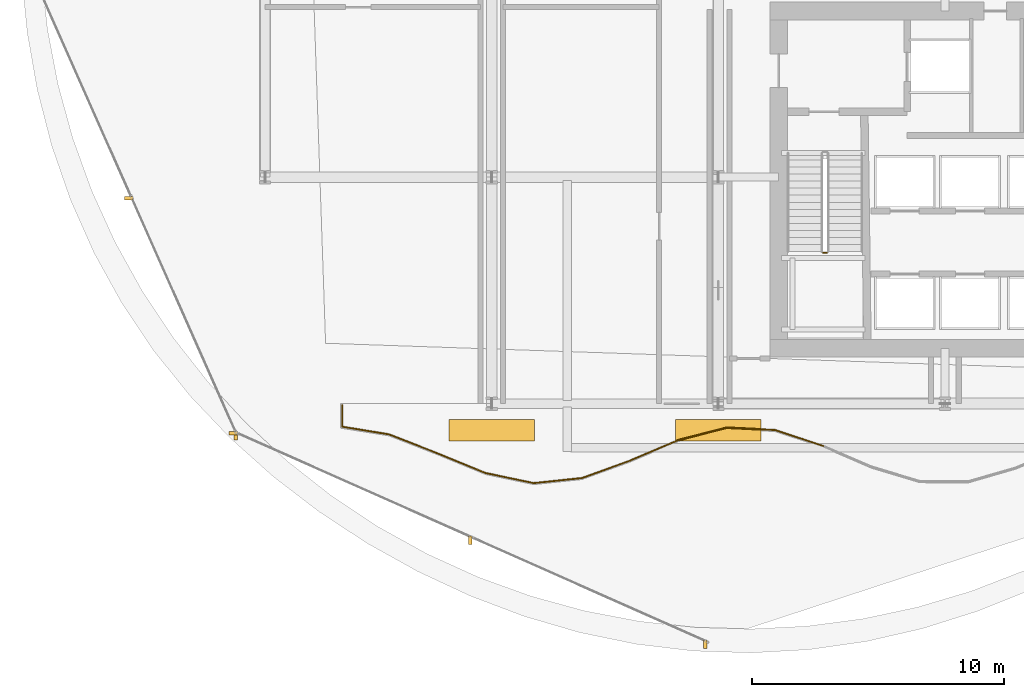
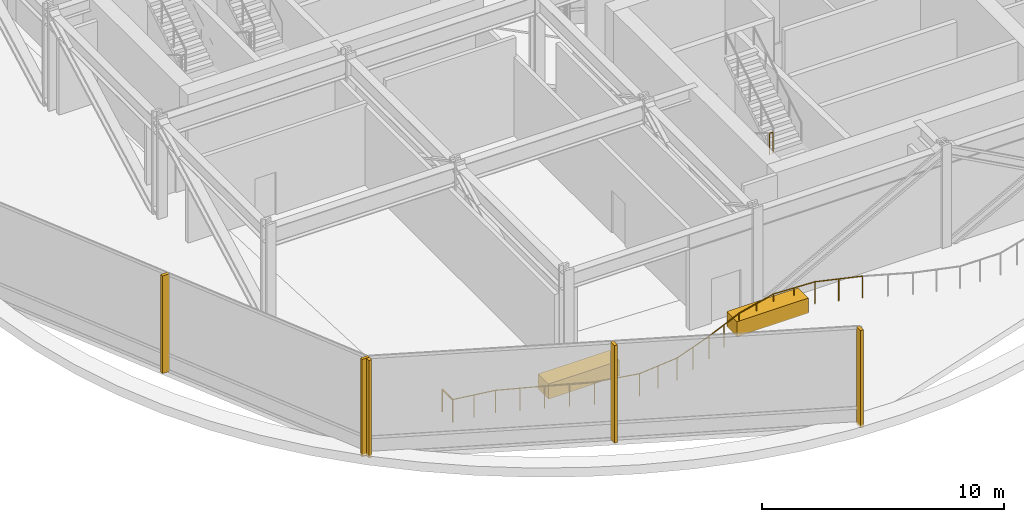
# One storey, part 31 of 37: 12 railings, 5 shading devices, 2 coverings.
"""IFC4 building model written with IfcOpenShell, lengths in metres."""

import ifcopenshell
import ifcopenshell.guid

model = None  # the IFC model being written
_history = None  # IfcOwnerHistory: only IFC2X3 demands one
_inside = {}  # id of a spatial element -> (the spatial element, [elements in it])
_under = {}  # id of a project, library or spatial element -> (it, [spatial elements below it])
_declared = {}  # id of a project -> (the project, [libraries it declares])
_typed = {}  # id of a type object -> (the type object, [elements of that type])
_made_of = {}  # id of a material, layer set ... -> (it, [elements and type objects made of it])


def new_model(schema):
    """Start an empty IFC model of exactly this schema.

    Asked for "IFC4X3", IfcOpenShell would pick the latest addendum, in which some entities
    have other attributes; the version numbers below select the first issue.
    IFC2X3 requires an IfcOwnerHistory on every rooted entity: one is made here for all.
    """
    global model, _history
    if schema == "IFC4X3":
        model = ifcopenshell.file(schema_version=(4, 3, 0, 0))
    else:
        model = ifcopenshell.file(schema=schema)
    _inside.clear()
    _under.clear()
    _declared.clear()
    _typed.clear()
    _made_of.clear()
    _history = None
    if model.schema == "IFC2X3":
        org = make("IfcOrganization", Name="unknown")
        user = make(
            "IfcPersonAndOrganization",
            ThePerson=make("IfcPerson", FamilyName="unknown"),
            TheOrganization=org,
        )
        app = make(
            "IfcApplication",
            ApplicationDeveloper=org,
            Version="unknown",
            ApplicationFullName="unknown",
            ApplicationIdentifier="unknown",
        )
        _history = make(
            "IfcOwnerHistory",
            OwningUser=user,
            OwningApplication=app,
            ChangeAction="ADDED",
            CreationDate=0,
        )
    return model


def make(cls, **values):
    """One entity of the class cls with the attributes given. An attribute that is None is left unset."""
    return model.create_entity(
        cls, **{name: value for name, value in values.items() if value is not None}
    )


def rooted(cls, **values):
    """An entity with a GlobalId (a new one), such as an element, a storey or a relation."""
    return make(cls, GlobalId=ifcopenshell.guid.new(), OwnerHistory=_history, **values)


def si_unit(unit_type, name, prefix=None):
    """IfcSIUnit, for example si_unit("LENGTHUNIT", "METRE", prefix="MILLI")."""
    return make("IfcSIUnit", UnitType=unit_type, Prefix=prefix, Name=name)


def assignment(units):
    """IfcUnitAssignment: the units of a project."""
    return None if units is None else make("IfcUnitAssignment", Units=units)


def point(xyz):
    """IfcCartesianPoint."""
    return None if xyz is None else make("IfcCartesianPoint", Coordinates=xyz)


def direction(xyz):
    """IfcDirection."""
    return None if xyz is None else make("IfcDirection", DirectionRatios=xyz)


def frame(location, z_axis=None, x_axis=None):
    """IfcAxis2Placement3D, a coordinate frame: its origin and axes. An axis left out is left unset."""
    return make(
        "IfcAxis2Placement3D",
        Location=point(location),
        Axis=direction(z_axis),
        RefDirection=direction(x_axis),
    )


def frame_2d(location, x_axis=None):
    """IfcAxis2Placement2D, a coordinate frame in the plane: its origin and x axis."""
    return make(
        "IfcAxis2Placement2D", Location=point(location), RefDirection=direction(x_axis)
    )


def origin():
    """The frame at (0, 0, 0) with its axes left unset."""
    return frame((0.0, 0.0, 0.0))


def origin_2d():
    """The frame at (0, 0) in the plane with its x axis left unset."""
    return frame_2d((0.0, 0.0))


def place(relative_to, where):
    """IfcLocalPlacement: puts the frame where relative to a parent placement (None: the world)."""
    return make(
        "IfcLocalPlacement", PlacementRelTo=relative_to, RelativePlacement=where
    )


def context(
    kind, dimensions, precision=None, world=None, true_north=None, identifier=None
):
    """IfcGeometricRepresentationContext, for example the 3D "Model" context."""
    return make(
        "IfcGeometricRepresentationContext",
        ContextIdentifier=identifier,
        ContextType=kind,
        CoordinateSpaceDimension=dimensions,
        Precision=precision,
        WorldCoordinateSystem=world,
        TrueNorth=true_north,
    )


def subcontext(parent, identifier, kind, view, scale=None):
    """IfcGeometricRepresentationSubContext, for example "Body" below "Model"."""
    return make(
        "IfcGeometricRepresentationSubContext",
        ContextIdentifier=identifier,
        ContextType=kind,
        ParentContext=parent,
        TargetScale=scale,
        TargetView=view,
    )


def project(units=None, contexts=None):
    """IfcProject with its units and contexts."""
    return rooted(
        "IfcProject",
        Name="project",
        RepresentationContexts=contexts,
        UnitsInContext=assignment(units),
    )


def spatial(cls, under=None, at=None, **own):
    """A site, building, storey or space (cls), placed at a placement, below another one or the project."""
    s = rooted(cls, ObjectPlacement=at, **own)
    if under is not None:
        _under.setdefault(under.id(), (under, []))[1].append(s)
    return s


def profile(cls, at=None, kind="AREA", **sizes):
    """A parametric profile (cls). Its sizes go by their IFC names, for example OverallWidth=200.0."""
    return make(cls, ProfileType=kind, Position=at, **sizes)


def rectangle(**sizes):
    """IfcRectangleProfileDef."""
    return profile("IfcRectangleProfileDef", **sizes)


def circle(**sizes):
    """IfcCircleProfileDef."""
    return profile("IfcCircleProfileDef", **sizes)


def extrude(swept, where, along, depth):
    """IfcExtrudedAreaSolid: the profile swept, set in the frame where, extruded along a direction by depth."""
    return make(
        "IfcExtrudedAreaSolid",
        SweptArea=swept,
        Position=where,
        ExtrudedDirection=direction(along),
        Depth=depth,
    )


def shape(context_of_items, identifier, shape_type, items):
    """IfcShapeRepresentation: the items that make up one representation, for example the "Body"."""
    return make(
        "IfcShapeRepresentation",
        ContextOfItems=context_of_items,
        RepresentationIdentifier=identifier,
        RepresentationType=shape_type,
        Items=items,
    )


def material(Name=None, Category=None):
    """IfcMaterial."""
    return make("IfcMaterial", Name=Name, Category=Category)


def layer(
    of_material, thickness, ventilated=None, Name=None, Category=None, Priority=None
):
    """IfcMaterialLayer: one layer of a wall or slab, of a material (None: an air gap)."""
    return make(
        "IfcMaterialLayer",
        Material=of_material,
        LayerThickness=thickness,
        IsVentilated=ventilated,
        Name=Name,
        Category=Category,
        Priority=Priority,
    )


def layer_set(layers, Name=None):
    """IfcMaterialLayerSet."""
    return make("IfcMaterialLayerSet", MaterialLayers=layers, LayerSetName=Name)


def made_of(thing, what):
    """Note that an element or type object is made of a material, layer set ...; save() writes the relation."""
    if what is not None:
        _made_of.setdefault(what.id(), (what, []))[1].append(thing)
    return thing


def type_object(cls, material=None, **own):
    """A type object (cls), such as IfcWallType, which elements share."""
    return made_of(rooted(cls, **own), material)


def element(
    cls,
    number,
    at=None,
    inside=None,
    cuts=None,
    type_object=None,
    material=None,
    context=None,
    identifier="Body",
    shape_type=None,
    held_by="IfcProductDefinitionShape",
    body=None,
    shapes=None,
    **own,
):
    """One element of the class cls, such as IfcWall. Its Tag is "e" and its number.

    at: its placement. inside: the storey or other place that contains it. cuts: it is an
    opening in that element (IfcRelVoidsElement). A single representation is given by context,
    identifier, shape_type and body (its items); several are given by shapes. held_by: the class
    of the entity that holds the representations. save() writes the other relations.
    """
    e = rooted(cls, Tag="e%d" % number, ObjectPlacement=at, **own)
    if body is not None:
        shapes = [shape(context, identifier, shape_type, body)]
    if shapes is not None:
        e.Representation = make(held_by, Representations=shapes)
    if inside is not None:
        _inside.setdefault(inside.id(), (inside, []))[1].append(e)
    if cuts is not None:
        rooted(
            "IfcRelVoidsElement", RelatingBuildingElement=cuts, RelatedOpeningElement=e
        )
    if type_object is not None:
        _typed.setdefault(type_object.id(), (type_object, []))[1].append(e)
    return made_of(e, material)


def aggregate(whole, parts):
    """IfcRelAggregates: a whole, such as a stair, and the parts it consists of."""
    return rooted("IfcRelAggregates", RelatingObject=whole, RelatedObjects=parts)


def save(model, path):
    """Write the relations noted so far, then the file.

    IfcRelAggregates (storeys below a building ...), IfcRelContainedInSpatialStructure (elements
    in a storey), IfcRelDefinesByType, IfcRelAssociatesMaterial and IfcRelDeclares: one each for
    every whole, place, type object, material and project.
    """
    for whole, parts in _under.values():
        aggregate(whole, parts)
    for where, things in _inside.values():
        rooted(
            "IfcRelContainedInSpatialStructure",
            RelatedElements=things,
            RelatingStructure=where,
        )
    for kind, things in _typed.values():
        rooted("IfcRelDefinesByType", RelatedObjects=things, RelatingType=kind)
    for what, things in _made_of.values():
        rooted("IfcRelAssociatesMaterial", RelatedObjects=things, RelatingMaterial=what)
    for by, libraries in _declared.values():
        rooted("IfcRelDeclares", RelatingContext=by, RelatedDefinitions=libraries)
    model.write(path)


model = new_model("IFC4")

# Units and contexts
model_context = context("Model", 3, precision=1e-05, world=origin(), true_north=direction((0.0, 1.0)))
body_context = subcontext(model_context, "Body", "Model", "MODEL_VIEW")
ifc_project = project(units=[si_unit("LENGTHUNIT", "METRE"), si_unit("AREAUNIT", "SQUARE_METRE"), si_unit("VOLUMEUNIT", "CUBIC_METRE"), si_unit("PLANEANGLEUNIT", "RADIAN"), si_unit("MASSUNIT", "GRAM", prefix="KILO")], contexts=[model_context])

# Site, building, storey
site_placement = place(None, origin())
site = spatial("IfcSite", under=ifc_project, at=site_placement, CompositionType="ELEMENT")
building_placement = place(site_placement, origin())
building = spatial("IfcBuilding", under=site, at=building_placement, Name="Solvaryn Broadcast Tower", CompositionType="ELEMENT")
storey_placement = place(building_placement, frame((0.0, 0.0, 30.800048828125)))
storey = spatial("IfcBuildingStorey", under=building, at=storey_placement, Name="L06", CompositionType="ELEMENT", Elevation=30.800048828125)

# Coverings
ifc_material_1 = material(Name="Glazed Architectural Terracotta Rainscreen Cladding", Category="masonry")
ifc_layer = layer(ifc_material_1, 0.280029296875)
ifc_layer_set = layer_set([ifc_layer], Name="CV-TC-CLAD")
covering_type = type_object("IfcCoveringType", Name="CV-TC-CLAD", PredefinedType="CLADDING", material=ifc_layer_set)
for number, where, z_axis, x_axis, name in (
    (1, (18.0, 7.949951171875, 0.0), (0.0, 0.0, 1.0), (1.0, 0.0, 0.0), "L06 Sky-Garden Planter Bed 1"),
    (2, (27.0, 7.949951171875, 0.0), (0.0, 0.0, 1.0), (1.0, 0.0, 0.0), "L06 Sky-Garden Planter Bed 2"),
):
    element("IfcCovering", number, at=place(storey_placement, frame(where, z_axis=z_axis, x_axis=x_axis)), inside=storey, type_object=covering_type, Name=name, PredefinedType="CLADDING", context=body_context, shape_type="SweptSolid", body=[
        extrude(rectangle(XDim=3.39990234375, YDim=0.85009765625, at=origin_2d()), origin(), (0.0, 0.0, 1.0), 0.760009765625),
    ])

# Railings
ifc_material_2 = material(Name="Painted Steel Stair Well Guard", Category="steel")
railing_type_1 = type_object("IfcRailingType", Name="RL-STAIR-GUARD", PredefinedType="BALUSTRADE", material=ifc_material_2)
railing_1_placement = place(storey_placement, frame((31.159912109375, 14.989990234375, 2.599853515625)))
element("IfcRailing", 3, at=railing_1_placement, inside=storey, type_object=railing_type_1, Name="L06 ST3 stair guard 2", PredefinedType="BALUSTRADE", context=body_context, shape_type="SweptSolid", body=[
    extrude(circle(Radius=0.02392578125, at=origin_2d()), frame((0.0, 0.0, 1.076171875), z_axis=(1.0, 0.0, 0.0), x_axis=(0.0, 1.0, 0.0)), (0.0, 0.0, 1.0), 0.150146484375),
    extrude(circle(Radius=0.02099609375, at=origin_2d()), origin(), (0.0, 0.0, 1.0), 1.052001953125),
    extrude(circle(Radius=0.02099609375, at=origin_2d()), frame((0.150146484375, 0.0, 0.0)), (0.0, 0.0, 1.0), 1.052001953125),
])
ifc_material_3 = material(Name="Stainless Steel and Laminated Glass Guard", Category="steel")
railing_type_2 = type_object("IfcRailingType", Name="RL-TER-1150", PredefinedType="BALUSTRADE", material=ifc_material_3)
railing_2_placement = place(storey_placement, frame((12.06005859375, 8.93994140625, 0.0)))
element("IfcRailing", 4, at=railing_2_placement, inside=storey, type_object=railing_type_2, Name="L06 Terrace Guard TS06S-1", PredefinedType="BALUSTRADE", context=body_context, shape_type="SweptSolid", body=[
    extrude(circle(Radius=0.02392578125, at=origin_2d()), frame((0.0, 0.0, 1.1259765625), z_axis=(0.0, -1.0, 0.0), x_axis=(1.0, 0.0, 0.0)), (0.0, 0.0, 1.0), 0.85498046875),
    extrude(circle(Radius=0.02099609375, at=origin_2d()), origin(), (0.0, 0.0, 1.0), 1.101806640625),
    extrude(circle(Radius=0.02099609375, at=origin_2d()), frame((0.0, -0.85498046875, 0.0)), (0.0, 0.0, 1.0), 1.101806640625),
])
railing_3_placement = place(storey_placement, frame((12.06005859375, 8.0849609375, 0.0)))
element("IfcRailing", 5, at=railing_3_placement, inside=storey, type_object=railing_type_2, Name="L06 Terrace Guard TS06S-2", PredefinedType="BALUSTRADE", context=body_context, shape_type="SweptSolid", body=[
    extrude(circle(Radius=0.02392578125, at=origin_2d()), frame((0.0, 0.0, 1.1259765625), z_axis=(0.986863300205, -0.161557502795, 0.0), x_axis=(0.161557502795, 0.986863300205, 0.0)), (0.0, 0.0, 1.0), 1.88134765625),
    extrude(circle(Radius=0.02099609375, at=origin_2d()), origin(), (0.0, 0.0, 1.0), 1.101806640625),
    extrude(circle(Radius=0.02099609375, at=origin_2d()), frame((0.92822265625, -0.15185546875, 0.0)), (0.0, 0.0, 1.0), 1.101806640625),
    extrude(circle(Radius=0.02099609375, at=origin_2d()), frame((1.856689453125, -0.303955078125, 0.0)), (0.0, 0.0, 1.0), 1.101806640625),
])
railing_4_placement = place(storey_placement, frame((13.916748046875, 7.781005859375, 0.0)))
element("IfcRailing", 6, at=railing_4_placement, inside=storey, type_object=railing_type_2, Name="L06 Terrace Guard TS06S-3", PredefinedType="BALUSTRADE", context=body_context, shape_type="SweptSolid", body=[
    extrude(circle(Radius=0.02392578125, at=origin_2d()), frame((0.0, 0.0, 1.1259765625), z_axis=(0.931674641792, -0.363293767965, 0.0), x_axis=(0.363293767965, 0.931674641792, 0.0)), (0.0, 0.0, 1.0), 2.05712890625),
    extrude(circle(Radius=0.02099609375, at=origin_2d()), origin(), (0.0, 0.0, 1.0), 1.101806640625),
    extrude(circle(Radius=0.02099609375, at=origin_2d()), frame((0.958251953125, -0.37353515625, 0.0)), (0.0, 0.0, 1.0), 1.101806640625),
    extrude(circle(Radius=0.02099609375, at=origin_2d()), frame((1.91650390625, -0.747314453125, 0.0)), (0.0, 0.0, 1.0), 1.101806640625),
])
railing_5_placement = place(storey_placement, frame((15.833251953125, 7.03369140625, 0.0)))
element("IfcRailing", 7, at=railing_5_placement, inside=storey, type_object=railing_type_2, Name="L06 Terrace Guard TS06S-4", PredefinedType="BALUSTRADE", context=body_context, shape_type="SweptSolid", body=[
    extrude(circle(Radius=0.02392578125, at=origin_2d()), frame((0.0, 0.0, 1.1259765625), z_axis=(0.924999853711, -0.379967459969, 0.0), x_axis=(0.379967459969, 0.924999853711, 0.0)), (0.0, 0.0, 1.0), 2.072265625),
    extrude(circle(Radius=0.02099609375, at=origin_2d()), origin(), (0.0, 0.0, 1.0), 1.101806640625),
    extrude(circle(Radius=0.02099609375, at=origin_2d()), frame((0.95849609375, -0.3935546875, 0.0)), (0.0, 0.0, 1.0), 1.101806640625),
    extrude(circle(Radius=0.02099609375, at=origin_2d()), frame((1.916748046875, -0.787353515625, 0.0)), (0.0, 0.0, 1.0), 1.101806640625),
])
railing_6_placement = place(storey_placement, frame((17.75, 6.246337890625, 0.0)))
element("IfcRailing", 8, at=railing_6_placement, inside=storey, type_object=railing_type_2, Name="L06 Terrace Guard TS06S-5", PredefinedType="BALUSTRADE", context=body_context, shape_type="SweptSolid", body=[
    extrude(circle(Radius=0.02392578125, at=origin_2d()), frame((0.0, 0.0, 1.1259765625), z_axis=(0.978721391726, -0.205193658232, 0.0), x_axis=(0.205193658232, 0.978721391726, 0.0)), (0.0, 0.0, 1.0), 1.95849609375),
    extrude(circle(Radius=0.02099609375, at=origin_2d()), origin(), (0.0, 0.0, 1.0), 1.101806640625),
    extrude(circle(Radius=0.02099609375, at=origin_2d()), frame((0.95849609375, -0.200927734375, 0.0)), (0.0, 0.0, 1.0), 1.101806640625),
    extrude(circle(Radius=0.02099609375, at=origin_2d()), frame((1.916748046875, -0.40185546875, 0.0)), (0.0, 0.0, 1.0), 1.101806640625),
])
railing_7_placement = place(storey_placement, frame((19.666748046875, 5.844482421875, 0.0)))
element("IfcRailing", 9, at=railing_7_placement, inside=storey, type_object=railing_type_2, Name="L06 Terrace Guard TS06S-6", PredefinedType="BALUSTRADE", context=body_context, shape_type="SweptSolid", body=[
    extrude(circle(Radius=0.02392578125, at=origin_2d()), frame((0.0, 0.0, 1.1259765625), z_axis=(0.994549101645, 0.104269287981, 0.0), x_axis=(-0.104269287981, 0.994549101645, 0.0)), (0.0, 0.0, 1.0), 1.927001953125),
    extrude(circle(Radius=0.02099609375, at=origin_2d()), origin(), (0.0, 0.0, 1.0), 1.101806640625),
    extrude(circle(Radius=0.02099609375, at=origin_2d()), frame((0.958251953125, 0.1005859375, 0.0)), (0.0, 0.0, 1.0), 1.101806640625),
    extrude(circle(Radius=0.02099609375, at=origin_2d()), frame((1.91650390625, 0.200927734375, 0.0)), (0.0, 0.0, 1.0), 1.101806640625),
])
railing_8_placement = place(storey_placement, frame((21.583251953125, 6.04541015625, 0.0)))
element("IfcRailing", 10, at=railing_8_placement, inside=storey, type_object=railing_type_2, Name="L06 Terrace Guard TS06S-7", PredefinedType="BALUSTRADE", context=body_context, shape_type="SweptSolid", body=[
    extrude(circle(Radius=0.02392578125, at=origin_2d()), frame((0.0, 0.0, 1.1259765625), z_axis=(0.940097214312, 0.340906479321, 0.0), x_axis=(-0.340906479321, 0.940097214312, 0.0)), (0.0, 0.0, 1.0), 2.038818359375),
    extrude(circle(Radius=0.02099609375, at=origin_2d()), origin(), (0.0, 0.0, 1.0), 1.101806640625),
    extrude(circle(Radius=0.02099609375, at=origin_2d()), frame((0.95849609375, 0.34765625, 0.0)), (0.0, 0.0, 1.0), 1.101806640625),
    extrude(circle(Radius=0.02099609375, at=origin_2d()), frame((1.916748046875, 0.695068359375, 0.0)), (0.0, 0.0, 1.0), 1.101806640625),
])
railing_9_placement = place(storey_placement, frame((23.5, 6.740478515625, 0.0)))
element("IfcRailing", 11, at=railing_9_placement, inside=storey, type_object=railing_type_2, Name="L06 Terrace Guard TS06S-8", PredefinedType="BALUSTRADE", context=body_context, shape_type="SweptSolid", body=[
    extrude(circle(Radius=0.02392578125, at=origin_2d()), frame((0.0, 0.0, 1.1259765625), z_axis=(0.920485951344, 0.390775656073, 0.0), x_axis=(-0.390775656073, 0.920485951344, 0.0)), (0.0, 0.0, 1.0), 2.082275390625),
    extrude(circle(Radius=0.02099609375, at=origin_2d()), origin(), (0.0, 0.0, 1.0), 1.101806640625),
    extrude(circle(Radius=0.02099609375, at=origin_2d()), frame((0.95849609375, 0.40673828125, 0.0)), (0.0, 0.0, 1.0), 1.101806640625),
    extrude(circle(Radius=0.02099609375, at=origin_2d()), frame((1.916748046875, 0.813720703125, 0.0)), (0.0, 0.0, 1.0), 1.101806640625),
])
railing_10_placement = place(storey_placement, frame((25.416748046875, 7.55419921875, 0.0)))
element("IfcRailing", 12, at=railing_10_placement, inside=storey, type_object=railing_type_2, Name="L06 Terrace Guard TS06S-9", PredefinedType="BALUSTRADE", context=body_context, shape_type="SweptSolid", body=[
    extrude(circle(Radius=0.02392578125, at=origin_2d()), frame((0.0, 0.0, 1.1259765625), z_axis=(0.968539679321, 0.248859176203, 0.0), x_axis=(-0.248859176203, 0.968539679321, 0.0)), (0.0, 0.0, 1.0), 1.978759765625),
    extrude(circle(Radius=0.02099609375, at=origin_2d()), origin(), (0.0, 0.0, 1.0), 1.101806640625),
    extrude(circle(Radius=0.02099609375, at=origin_2d()), frame((0.958251953125, 0.24609375, 0.0)), (0.0, 0.0, 1.0), 1.101806640625),
    extrude(circle(Radius=0.02099609375, at=origin_2d()), frame((1.91650390625, 0.492431640625, 0.0)), (0.0, 0.0, 1.0), 1.101806640625),
])
railing_11_placement = place(storey_placement, frame((27.333251953125, 8.046630859375, 0.0)))
element("IfcRailing", 13, at=railing_11_placement, inside=storey, type_object=railing_type_2, Name="L06 Terrace Guard TS06S-10", PredefinedType="BALUSTRADE", context=body_context, shape_type="SweptSolid", body=[
    extrude(circle(Radius=0.02392578125, at=origin_2d()), frame((0.0, 0.0, 1.1259765625), z_axis=(0.998787305465, -0.04923330623, 0.0), x_axis=(0.04923330623, 0.998787305465, 0.0)), (0.0, 0.0, 1.0), 1.919189453125),
    extrude(circle(Radius=0.02099609375, at=origin_2d()), origin(), (0.0, 0.0, 1.0), 1.101806640625),
    extrude(circle(Radius=0.02099609375, at=origin_2d()), frame((0.95849609375, -0.04736328125, 0.0)), (0.0, 0.0, 1.0), 1.101806640625),
    extrude(circle(Radius=0.02099609375, at=origin_2d()), frame((1.916748046875, -0.094482421875, 0.0)), (0.0, 0.0, 1.0), 1.101806640625),
])
railing_12_placement = place(storey_placement, frame((29.25, 7.9521484375, 0.0)))
element("IfcRailing", 14, at=railing_12_placement, inside=storey, type_object=railing_type_2, Name="L06 Terrace Guard TS06S-11", PredefinedType="BALUSTRADE", context=body_context, shape_type="SweptSolid", body=[
    extrude(circle(Radius=0.02392578125, at=origin_2d()), frame((0.0, 0.0, 1.1259765625), z_axis=(0.949910194542, -0.312522994842, 0.0), x_axis=(0.312522994842, 0.949910194542, 0.0)), (0.0, 0.0, 1.0), 2.017822265625),
    extrude(circle(Radius=0.02099609375, at=origin_2d()), origin(), (0.0, 0.0, 1.0), 1.101806640625),
    extrude(circle(Radius=0.02099609375, at=origin_2d()), frame((0.95849609375, -0.3154296875, 0.0)), (0.0, 0.0, 1.0), 1.101806640625),
    extrude(circle(Radius=0.02099609375, at=origin_2d()), frame((1.916748046875, -0.630615234375, 0.0)), (0.0, 0.0, 1.0), 1.101806640625),
])

# Shading devices
ifc_material_4 = material(Name="Anodised Aluminium Acoustic Louvre", Category="aluminium")
shading_device_type = type_object("IfcShadingDeviceType", Name="LV-01 Plant Intake Louvre", PredefinedType="USERDEFINED", material=ifc_material_4)
for number, where, z_axis, x_axis, name in (
    (15, (3.58203125, 17.155029296875, 0.0), (0.0, 0.0, 1.0), (1.0, 0.0, 0.0), "L06 Plant Acoustic Louvre LV-CW-L06-DR2/M01"),
    (16, (7.725341796875, 7.825927734375, 0.0), (0.0, 0.0, 1.0), (1.0, 0.0, 0.0), "L06 Plant Acoustic Louvre LV-CW-L06-DR2/M02"),
):
    element("IfcShadingDevice", number, at=place(storey_placement, frame(where, z_axis=z_axis, x_axis=x_axis)), inside=storey, type_object=shading_device_type, Name=name, ObjectType="LOUVRE", PredefinedType="USERDEFINED", context=body_context, shape_type="SweptSolid", body=[
        extrude(rectangle(XDim=0.340087890625, YDim=0.139892578125, at=origin_2d()), origin(), (0.0, 0.0, 1.0), 4.919921875),
    ])
for number, where, z_axis, x_axis, name in (
    (17, (7.825927734375, 7.725341796875, 0.0), (0.0, 0.0, 1.0), (1.0, 0.0, 0.0), "L06 Plant Acoustic Louvre LV-CW-L06-DR3/M00"),
    (18, (17.155029296875, 3.58203125, 0.0), (0.0, 0.0, 1.0), (1.0, 0.0, 0.0), "L06 Plant Acoustic Louvre LV-CW-L06-DR3/M01"),
    (19, (26.484130859375, -0.561279296875, 0.0), (0.0, 0.0, 1.0), (1.0, 0.0, 0.0), "L06 Plant Acoustic Louvre LV-CW-L06-DR3/M02"),
):
    element("IfcShadingDevice", number, at=place(storey_placement, frame(where, z_axis=z_axis, x_axis=x_axis)), inside=storey, type_object=shading_device_type, Name=name, ObjectType="LOUVRE", PredefinedType="USERDEFINED", context=body_context, shape_type="SweptSolid", body=[
        extrude(rectangle(XDim=0.139892578125, YDim=0.340087890625, at=origin_2d()), origin(), (0.0, 0.0, 1.0), 4.919921875),
    ])

save(model, "model.ifc")
